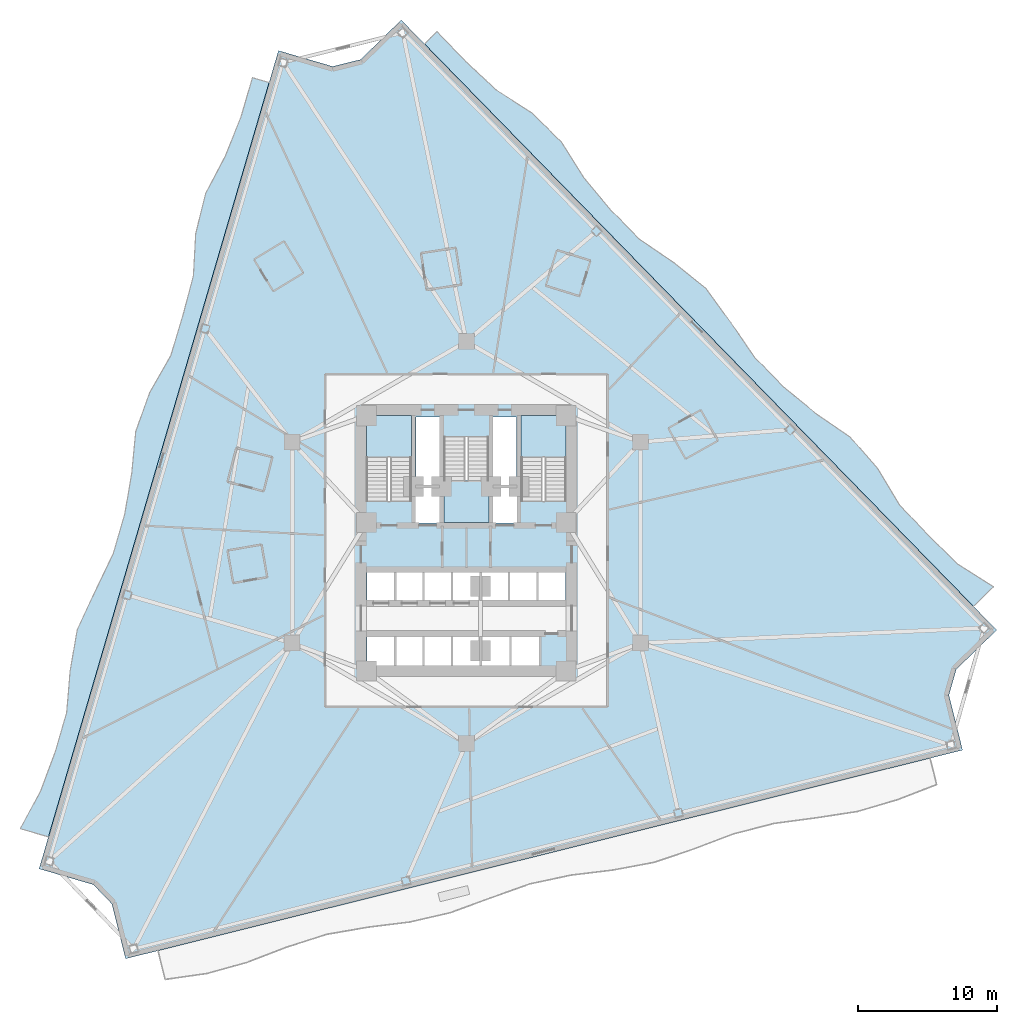
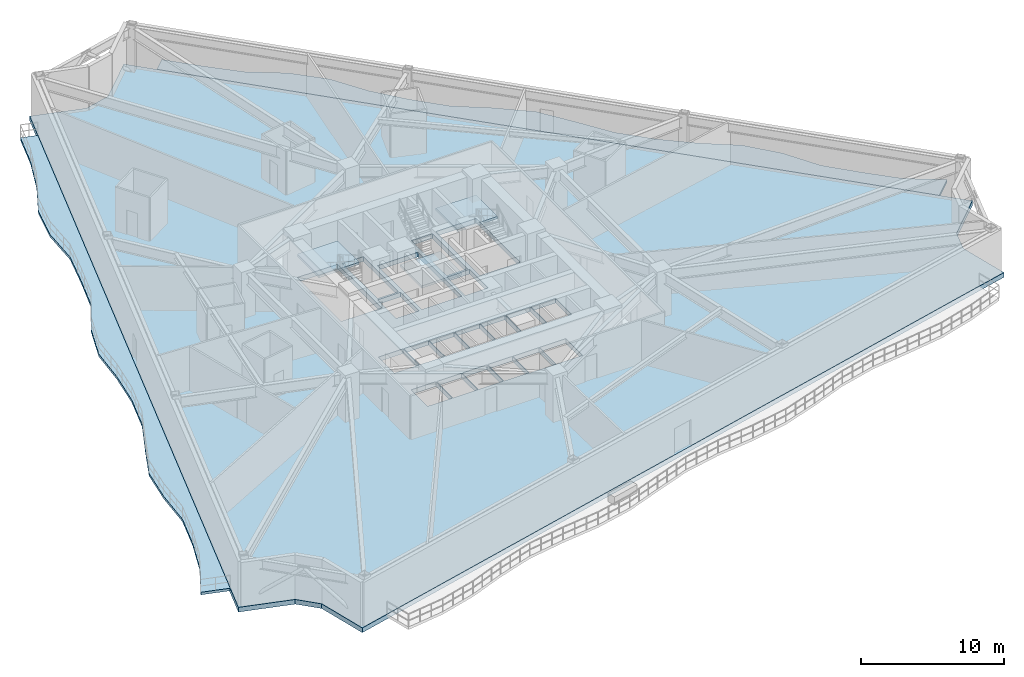
# One storey, part 4 of 13: 6 slabs, 3 elements without a shape of their own.
"""IFC4 building model written with IfcOpenShell, lengths in metres."""

from ifc_helpers import new_model, si_unit, direction, frame, origin, place, context, subcontext, project, spatial, polyline, outline, extrude, material, layer, layer_set, type_object, element, aggregate, save


model = new_model("IFC4")

# Units and contexts
model_context = context("Model", 3, precision=1e-05, world=origin(), true_north=direction((0.0, 1.0)))
body_context = subcontext(model_context, "Body", "Model", "MODEL_VIEW")
ifc_project = project(units=[si_unit("LENGTHUNIT", "METRE"), si_unit("AREAUNIT", "SQUARE_METRE"), si_unit("VOLUMEUNIT", "CUBIC_METRE"), si_unit("PLANEANGLEUNIT", "RADIAN"), si_unit("MASSUNIT", "GRAM", prefix="KILO")], contexts=[model_context])

# Site, building, storey
site_placement = place(None, origin())
site = spatial("IfcSite", under=ifc_project, at=site_placement, CompositionType="ELEMENT")
building_placement = place(site_placement, origin())
building = spatial("IfcBuilding", under=site, at=building_placement, Name="Apsidion Concourse Tower", CompositionType="ELEMENT")
storey_placement = place(building_placement, frame((0.0, 0.0, 95.0)))
storey = spatial("IfcBuildingStorey", under=building, at=storey_placement, Name="L21", CompositionType="ELEMENT", Elevation=95.0)

# Slabs
ifc_material_1 = material(Name="Concrete C50/60", Category="concrete")
ifc_layer_1 = layer(ifc_material_1, 0.219970703125)
ifc_layer_set_1 = layer_set([ifc_layer_1], Name="Concrete C50/60")
slab_type_1 = type_object("IfcSlabType", Name="SL-BAL-220", PredefinedType="FLOOR", material=ifc_layer_set_1)
slab_1_placement = place(storey_placement, frame((0.0, 0.0, -0.219970703125)))
element("IfcSlab", 1, at=slab_1_placement, inside=storey, type_object=slab_type_1, Name="L21 Face 1 Rippling Balcony Slab", PredefinedType="FLOOR", context=body_context, shape_type="SweptSolid", body=[
    extrude(outline(polyline([(-14.220458984375, 33.17431640625), (-15.05810546875, 30.311279296875), (-15.8955078125, 27.4482421875), (-16.73291015625, 24.58544921875), (-17.570556640625, 21.722412109375), (-18.407958984375, 18.859619140625), (-19.24560546875, 15.99658203125), (-20.0830078125, 13.133544921875), (-20.920654296875, 10.2705078125), (-21.758056640625, 7.40771484375), (-22.595703125, 4.544677734375), (-23.43310546875, 1.681884765625), (-24.2705078125, -1.18115234375), (-25.108154296875, -4.044189453125), (-25.94580078125, -6.906982421875), (-26.783203125, -9.77001953125), (-27.62060546875, -12.633056640625), (-28.458251953125, -15.495849609375), (-29.295654296875, -18.35888671875), (-30.13330078125, -21.2216796875), (-32.162353515625, -20.62841796875), (-30.708251953125, -17.94580078125), (-29.657958984375, -15.14501953125), (-28.8203125, -12.281982421875), (-28.566162109375, -9.248291015625), (-28.054443359375, -6.290283203125), (-26.783447265625, -3.553955078125), (-25.470458984375, -0.830078125), (-24.6328125, 2.03271484375), (-24.125, 4.9921875), (-23.83544921875, 8.015380859375), (-22.8251953125, 10.827880859375), (-21.30517578125, 13.4912109375), (-20.4453125, 16.347412109375), (-19.676513671875, 19.23046875), (-19.510986328125, 22.2900390625), (-18.7919921875, 25.187744140625), (-17.374755859375, 27.881103515625), (-16.2578125, 30.662109375), (-15.420166015625, 33.525146484375), (-14.220458984375, 33.17431640625)])), origin(), (0.0, 0.0, 1.0), 0.219970703125),
])
slab_2_placement = place(storey_placement, frame((0.0, 0.0, -0.219970703125)))
element("IfcSlab", 2, at=slab_2_placement, inside=storey, type_object=slab_type_1, Name="L21 Face 3 Rippling Balcony Slab", PredefinedType="FLOOR", context=body_context, shape_type="SweptSolid", body=[
    extrude(outline(polyline([(36.569091796875, -4.591064453125), (34.485595703125, -2.456298828125), (32.402099609375, -0.32177734375), (30.318603515625, 1.81298828125), (28.23486328125, 3.947509765625), (26.1513671875, 6.082275390625), (24.06787109375, 8.216796875), (21.984130859375, 10.3515625), (19.900634765625, 12.486083984375), (17.817138671875, 14.620849609375), (15.733642578125, 16.75537109375), (13.64990234375, 18.89013671875), (11.56640625, 21.024658203125), (9.48291015625, 23.159423828125), (7.3994140625, 25.2939453125), (5.31591796875, 27.4287109375), (3.232177734375, 29.563232421875), (1.148681640625, 31.697998046875), (-0.934814453125, 33.83251953125), (-3.018310546875, 35.96728515625), (-2.123779296875, 36.84033203125), (-0.040283203125, 34.705810546875), (2.1298828125, 32.65576171875), (4.70361328125, 30.99951171875), (6.834716796875, 28.9111328125), (8.465087890625, 26.333984375), (10.37744140625, 24.032470703125), (12.4609375, 21.897705078125), (14.968505859375, 20.177001953125), (17.306884765625, 18.291015625), (19.078125, 15.8515625), (20.795166015625, 13.359130859375), (22.87890625, 11.224609375), (25.19580078125, 9.31787109375), (27.696044921875, 7.58984375), (29.6640625, 5.342529296875), (31.2412109375, 2.71337890625), (33.29638671875, 0.551513671875), (35.419677734375, -1.544677734375), (38.007080078125, -3.187255859375), (36.569091796875, -4.591064453125)])), origin(), (0.0, 0.0, 1.0), 0.219970703125),
])
ifc_layer_2 = layer(ifc_material_1, 0.39990234375)
ifc_layer_set_2 = layer_set([ifc_layer_2], Name="Concrete C50/60")
slab_type_2 = type_object("IfcSlabType", Name="SL-FLR-400", PredefinedType="FLOOR", material=ifc_layer_set_2)
slab_3_placement = place(storey_placement, frame((0.0, 0.0, -0.39990234375)))
element("IfcSlab", 3, at=slab_3_placement, inside=storey, type_object=slab_type_2, Name="L21 Structural Floor Slab", PredefinedType="FLOOR", context=body_context, shape_type="SweptSolid", body=[
    extrude(outline(polyline([(-4.69482421875, 37.684814453125), (-7.614013671875, 34.83544921875), (-9.63134765625, 34.33251953125), (-13.546630859375, 35.477783203125), (-30.80712890625, -23.525390625), (-26.891845703125, -24.670654296875), (-25.56103515625, -26.055908203125), (-24.57421875, -30.01416015625), (35.78857421875, -14.964111328125), (34.8017578125, -11.005859375), (35.326416015625, -9.15771484375), (38.24560546875, -6.30859375), (-4.69482421875, 37.684814453125)]), holes=[polyline([(-3.949951171875, 3.0), (-3.949951171875, 9.14990234375), (-7.199951171875, 9.14990234375), (-7.199951171875, 3.0), (-3.949951171875, 3.0)]), polyline([(7.199951171875, 3.0), (7.199951171875, 9.14990234375), (3.949951171875, 9.14990234375), (3.949951171875, 3.0), (7.199951171875, 3.0)]), polyline([(-1.625, 7.60009765625), (-1.625, 1.449951171875), (1.625, 1.449951171875), (1.625, 7.60009765625), (-1.625, 7.60009765625)]), polyline([(-7.14501953125, -4.300048828125), (-5.155029296875, -4.300048828125), (-5.155029296875, -2.050048828125), (-7.14501953125, -2.050048828125), (-7.14501953125, -4.300048828125)]), polyline([(-5.094970703125, -4.300048828125), (-3.10498046875, -4.300048828125), (-3.10498046875, -2.050048828125), (-5.094970703125, -2.050048828125), (-5.094970703125, -4.300048828125)]), polyline([(-3.044921875, -4.300048828125), (-1.054931640625, -4.300048828125), (-1.054931640625, -2.050048828125), (-3.044921875, -2.050048828125), (-3.044921875, -4.300048828125)]), polyline([(-0.9951171875, -4.300048828125), (0.9951171875, -4.300048828125), (0.9951171875, -2.050048828125), (-0.9951171875, -2.050048828125), (-0.9951171875, -4.300048828125)]), polyline([(1.054931640625, -4.300048828125), (3.044921875, -4.300048828125), (3.044921875, -2.050048828125), (1.054931640625, -2.050048828125), (1.054931640625, -4.300048828125)]), polyline([(3.10498046875, -4.300048828125), (5.094970703125, -4.300048828125), (5.094970703125, -2.050048828125), (3.10498046875, -2.050048828125), (3.10498046875, -4.300048828125)]), polyline([(5.155029296875, -4.300048828125), (7.14501953125, -4.300048828125), (7.14501953125, -2.050048828125), (5.155029296875, -2.050048828125), (5.155029296875, -4.300048828125)]), polyline([(-7.14501953125, -8.949951171875), (-5.155029296875, -8.949951171875), (-5.155029296875, -6.64990234375), (-7.14501953125, -6.64990234375), (-7.14501953125, -8.949951171875)]), polyline([(-5.094970703125, -8.949951171875), (-3.10498046875, -8.949951171875), (-3.10498046875, -6.64990234375), (-5.094970703125, -6.64990234375), (-5.094970703125, -8.949951171875)]), polyline([(-3.044921875, -8.949951171875), (-1.054931640625, -8.949951171875), (-1.054931640625, -6.64990234375), (-3.044921875, -6.64990234375), (-3.044921875, -8.949951171875)]), polyline([(-0.9951171875, -8.949951171875), (0.9951171875, -8.949951171875), (0.9951171875, -6.64990234375), (-0.9951171875, -6.64990234375), (-0.9951171875, -8.949951171875)]), polyline([(1.044921875, -9.0), (3.155029296875, -9.0), (3.155029296875, -6.64990234375), (1.044921875, -6.64990234375), (1.044921875, -9.0)]), polyline([(3.195068359375, -9.0), (5.304931640625, -9.0), (5.304931640625, -6.64990234375), (3.195068359375, -6.64990234375), (3.195068359375, -9.0)]), polyline([(-3.7099609375, 1.39990234375), (-1.85009765625, 1.39990234375), (-1.85009765625, 4.0), (-3.7099609375, 4.0), (-3.7099609375, 1.39990234375)]), polyline([(1.85009765625, 1.39990234375), (3.7099609375, 1.39990234375), (3.7099609375, 4.0), (1.85009765625, 4.0), (1.85009765625, 1.39990234375)]), polyline([(-3.6201171875, 4.14990234375), (-1.93994140625, 4.14990234375), (-1.93994140625, 9.050048828125), (-3.6201171875, 9.050048828125), (-3.6201171875, 4.14990234375)]), polyline([(1.93994140625, 4.14990234375), (3.6201171875, 4.14990234375), (3.6201171875, 9.050048828125), (1.93994140625, 9.050048828125), (1.93994140625, 4.14990234375)])]), origin(), (0.0, 0.0, 1.0), 0.39990234375),
])

# Stair, slab
ifc_material_2 = material(Name="Precast concrete C40/50", Category="concrete")
stair_type = type_object("IfcStairType", Name="ST-DL-1550", PredefinedType="HALF_TURN_STAIR", material=ifc_material_2)
stair_1_placement = place(storey_placement, origin())
stair_1 = element("IfcStair", 4, at=stair_1_placement, inside=storey, type_object=stair_type, Name="L21 Protected Core Exit Stair ST1", PredefinedType="HALF_TURN_STAIR")
ifc_layer_3 = layer(ifc_material_1, 0.199951171875)
ifc_layer_set_3 = layer_set([ifc_layer_3], Name="Concrete C50/60")
slab_type_3 = type_object("IfcSlabType", Name="SL-ST-LAND-200", PredefinedType="LANDING", material=ifc_layer_set_3)
slab_4_placement = place(storey_placement, frame((0.0, 0.0, 1.800048828125)))
slab_4 = element("IfcSlab", 5, at=slab_4_placement, type_object=slab_type_3, Name="ST1 landing 1", PredefinedType="LANDING", context=body_context, shape_type="SweptSolid", body=[
    extrude(outline(polyline([(-3.949951171875, 6.135009765625), (-3.949951171875, 9.14990234375), (-7.199951171875, 9.14990234375), (-7.199951171875, 6.135009765625), (-3.949951171875, 6.135009765625)])), origin(), (0.0, 0.0, 1.0), 0.199951171875),
])
aggregate(stair_1, [slab_4])

stair_2_placement = place(storey_placement, origin())
stair_2 = element("IfcStair", 6, at=stair_2_placement, inside=storey, type_object=stair_type, Name="L21 Protected Core Exit Stair ST2", PredefinedType="HALF_TURN_STAIR")
slab_5_placement = place(storey_placement, frame((0.0, 0.0, 1.800048828125)))
slab_5 = element("IfcSlab", 7, at=slab_5_placement, type_object=slab_type_3, Name="ST2 landing 1", PredefinedType="LANDING", context=body_context, shape_type="SweptSolid", body=[
    extrude(outline(polyline([(7.199951171875, 6.135009765625), (7.199951171875, 9.14990234375), (3.949951171875, 9.14990234375), (3.949951171875, 6.135009765625), (7.199951171875, 6.135009765625)])), origin(), (0.0, 0.0, 1.0), 0.199951171875),
])
aggregate(stair_2, [slab_5])

stair_3_placement = place(storey_placement, origin())
stair_3 = element("IfcStair", 8, at=stair_3_placement, inside=storey, type_object=stair_type, Name="L21 Protected Core Exit Stair ST3", PredefinedType="HALF_TURN_STAIR")
slab_6_placement = place(storey_placement, frame((0.0, 0.0, 1.800048828125)))
slab_6 = element("IfcSlab", 9, at=slab_6_placement, type_object=slab_type_3, Name="ST3 landing 1", PredefinedType="LANDING", context=body_context, shape_type="SweptSolid", body=[
    extrude(outline(polyline([(-1.625, 4.465087890625), (-1.625, 1.449951171875), (1.625, 1.449951171875), (1.625, 4.465087890625), (-1.625, 4.465087890625)])), origin(), (0.0, 0.0, 1.0), 0.199951171875),
])
aggregate(stair_3, [slab_6])

save(model, "model.ifc")
